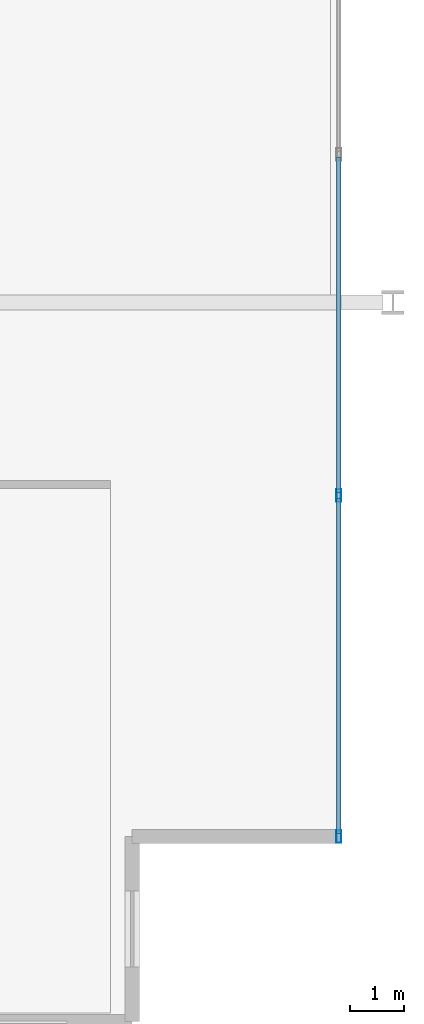
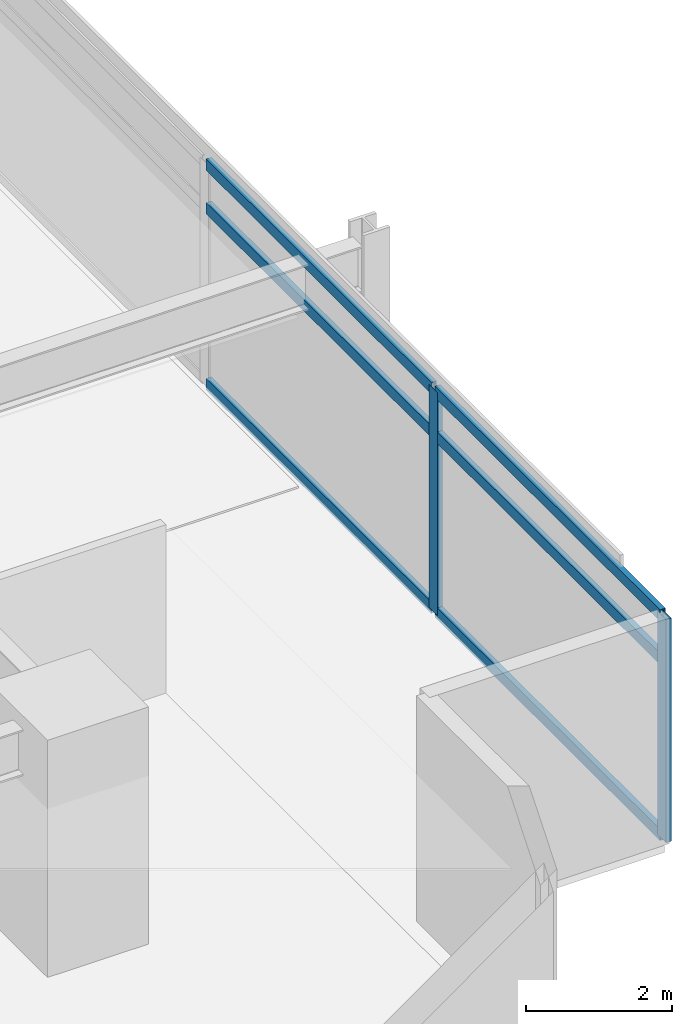
# One storey, part 7 of 21: 8 members, 1 element without a shape of its own.
"""IFC4 building model written with IfcOpenShell, lengths in metres."""

from ifc_helpers import new_model, si_unit, direction, frame, origin, origin_2d, place, context, subcontext, project, spatial, hollow_rectangle, extrude, material, material_profile, profile_set, type_object, element, aggregate, save


model = new_model("IFC4")

# Units and contexts
model_context = context("Model", 3, precision=1e-05, world=origin(), true_north=direction((0.0, 1.0)))
body_context = subcontext(model_context, "Body", "Model", "MODEL_VIEW")
ifc_project = project(units=[si_unit("LENGTHUNIT", "METRE"), si_unit("AREAUNIT", "SQUARE_METRE"), si_unit("VOLUMEUNIT", "CUBIC_METRE"), si_unit("PLANEANGLEUNIT", "RADIAN"), si_unit("MASSUNIT", "GRAM", prefix="KILO")], contexts=[model_context])

# Site, building, storey
site_placement = place(None, origin())
site = spatial("IfcSite", under=ifc_project, at=site_placement, CompositionType="ELEMENT")
building_placement = place(site_placement, origin())
building = spatial("IfcBuilding", under=site, at=building_placement, Name="Kovane Verandah Tower", CompositionType="ELEMENT")
storey_placement = place(building_placement, frame((0.0, 0.0, 152.39990234375)))
storey = spatial("IfcBuildingStorey", under=building, at=storey_placement, Name="L35", CompositionType="ELEMENT", Elevation=152.39990234375)

# Curtain wall, members
ifc_material_1 = material(Name="Champagne Anodised Aluminium Frame with Low-E Clear Laminated Glass", Category="aluminium")
curtain_wall_type = type_object("IfcCurtainWallType", Name="CW-SYS-03-MID", PredefinedType="NOTDEFINED", material=ifc_material_1)
curtain_wall_placement = place(storey_placement, origin())
curtain_wall = element("IfcCurtainWall", 1, at=curtain_wall_placement, inside=storey, type_object=curtain_wall_type, Name="L35 E Unitised Curtain Wall", PredefinedType="NOTDEFINED")
ifc_material_2 = material(Name="Champagne Anodised Aluminium 6063-T6", Category="aluminium")
ifc_material_profile_1 = material_profile(ifc_material_2, hollow_rectangle(XDim=0.0849609375, YDim=0.22998046875, WallThickness=0.00390625, at=origin_2d()), Name="AL85x230x4")
ifc_profile_set_1 = profile_set([ifc_material_profile_1], Name="Champagne Anodised Aluminium 6063-T6")
member_type_1 = type_object("IfcMemberType", Name="CW-MUL-85x230", PredefinedType="MULLION", material=ifc_profile_set_1)
member_1_placement = place(storey_placement, frame((66.60595703125, 8.6728515625, 0.02001953125), z_axis=(0.0, 0.0, 1.0), x_axis=(1.0, 0.0, 0.0)))
member_1 = element("IfcMember", 2, at=member_1_placement, type_object=member_type_1, Name="L35 E Unitised Curtain Wall Mullion 1", PredefinedType="MULLION", context=body_context, shape_type="SweptSolid", body=[
    extrude(hollow_rectangle(XDim=0.0849609375, YDim=0.22998046875, WallThickness=0.00390625, at=origin_2d()), origin(), (0.0, 0.0, 1.0), 3.735107421875),
])
member_2_placement = place(storey_placement, frame((66.60595703125, 14.948486328125, 0.02001953125), z_axis=(0.0, 0.0, 1.0), x_axis=(1.0, 0.0, 0.0)))
member_2 = element("IfcMember", 3, at=member_2_placement, type_object=member_type_1, Name="L35 E Unitised Curtain Wall Mullion 2", PredefinedType="MULLION", context=body_context, shape_type="SweptSolid", body=[
    extrude(hollow_rectangle(XDim=0.0849609375, YDim=0.22998046875, WallThickness=0.00390625, at=origin_2d()), origin(), (0.0, 0.0, 1.0), 3.735107421875),
])
ifc_material_profile_2 = material_profile(ifc_material_2, hollow_rectangle(XDim=0.0849609375, YDim=0.18994140625, WallThickness=0.00390625, at=origin_2d()), Name="AL85x190x4")
ifc_profile_set_2 = profile_set([ifc_material_profile_2], Name="Champagne Anodised Aluminium 6063-T6")
member_type_2 = type_object("IfcMemberType", Name="CW-TRN-85x190", PredefinedType="USERDEFINED", material=ifc_profile_set_2)
member_3_placement = place(storey_placement, frame((66.60595703125, 8.722900390625, 0.050048828125), z_axis=(0.0, 1.0, 0.0), x_axis=(-1.0, 0.0, 0.0)))
member_3 = element("IfcMember", 4, at=member_3_placement, type_object=member_type_2, Name="L35 E Unitised Curtain Wall Transom TB Bay 1", ObjectType="TRANSOM", PredefinedType="USERDEFINED", context=body_context, shape_type="SweptSolid", body=[
    extrude(hollow_rectangle(XDim=0.0849609375, YDim=0.18994140625, WallThickness=0.00390625, at=origin_2d()), origin(), (0.0, 0.0, 1.0), 6.175537109375),
])
member_4_placement = place(storey_placement, frame((66.60595703125, 8.722900390625, 2.9951171875), z_axis=(0.0, 1.0, 0.0), x_axis=(-1.0, 0.0, 0.0)))
member_4 = element("IfcMember", 5, at=member_4_placement, type_object=member_type_2, Name="L35 E Unitised Curtain Wall Transom TM Bay 1", ObjectType="TRANSOM", PredefinedType="USERDEFINED", context=body_context, shape_type="SweptSolid", body=[
    extrude(hollow_rectangle(XDim=0.0849609375, YDim=0.18994140625, WallThickness=0.00390625, at=origin_2d()), origin(), (0.0, 0.0, 1.0), 6.175537109375),
])
member_5_placement = place(storey_placement, frame((66.60595703125, 8.722900390625, 3.72509765625), z_axis=(0.0, 1.0, 0.0), x_axis=(-1.0, 0.0, 0.0)))
member_5 = element("IfcMember", 6, at=member_5_placement, type_object=member_type_2, Name="L35 E Unitised Curtain Wall Transom TT Bay 1", ObjectType="TRANSOM", PredefinedType="USERDEFINED", context=body_context, shape_type="SweptSolid", body=[
    extrude(hollow_rectangle(XDim=0.0849609375, YDim=0.18994140625, WallThickness=0.00390625, at=origin_2d()), origin(), (0.0, 0.0, 1.0), 6.175537109375),
])
member_6_placement = place(storey_placement, frame((66.60595703125, 14.99853515625, 0.050048828125), z_axis=(0.0, 1.0, 0.0), x_axis=(-1.0, 0.0, 0.0)))
member_6 = element("IfcMember", 7, at=member_6_placement, type_object=member_type_2, Name="L35 E Unitised Curtain Wall Transom TB Bay 2", ObjectType="TRANSOM", PredefinedType="USERDEFINED", context=body_context, shape_type="SweptSolid", body=[
    extrude(hollow_rectangle(XDim=0.0849609375, YDim=0.18994140625, WallThickness=0.00390625, at=origin_2d()), origin(), (0.0, 0.0, 1.0), 6.17578125),
])
member_7_placement = place(storey_placement, frame((66.60595703125, 14.99853515625, 2.9951171875), z_axis=(0.0, 1.0, 0.0), x_axis=(-1.0, 0.0, 0.0)))
member_7 = element("IfcMember", 8, at=member_7_placement, type_object=member_type_2, Name="L35 E Unitised Curtain Wall Transom TM Bay 2", ObjectType="TRANSOM", PredefinedType="USERDEFINED", context=body_context, shape_type="SweptSolid", body=[
    extrude(hollow_rectangle(XDim=0.0849609375, YDim=0.18994140625, WallThickness=0.00390625, at=origin_2d()), origin(), (0.0, 0.0, 1.0), 6.17578125),
])
member_8_placement = place(storey_placement, frame((66.60595703125, 14.99853515625, 3.72509765625), z_axis=(0.0, 1.0, 0.0), x_axis=(-1.0, 0.0, 0.0)))
member_8 = element("IfcMember", 9, at=member_8_placement, type_object=member_type_2, Name="L35 E Unitised Curtain Wall Transom TT Bay 2", ObjectType="TRANSOM", PredefinedType="USERDEFINED", context=body_context, shape_type="SweptSolid", body=[
    extrude(hollow_rectangle(XDim=0.0849609375, YDim=0.18994140625, WallThickness=0.00390625, at=origin_2d()), origin(), (0.0, 0.0, 1.0), 6.17578125),
])
aggregate(curtain_wall, [member_1, member_2, member_3, member_4, member_5, member_6, member_7, member_8])

save(model, "model.ifc")
